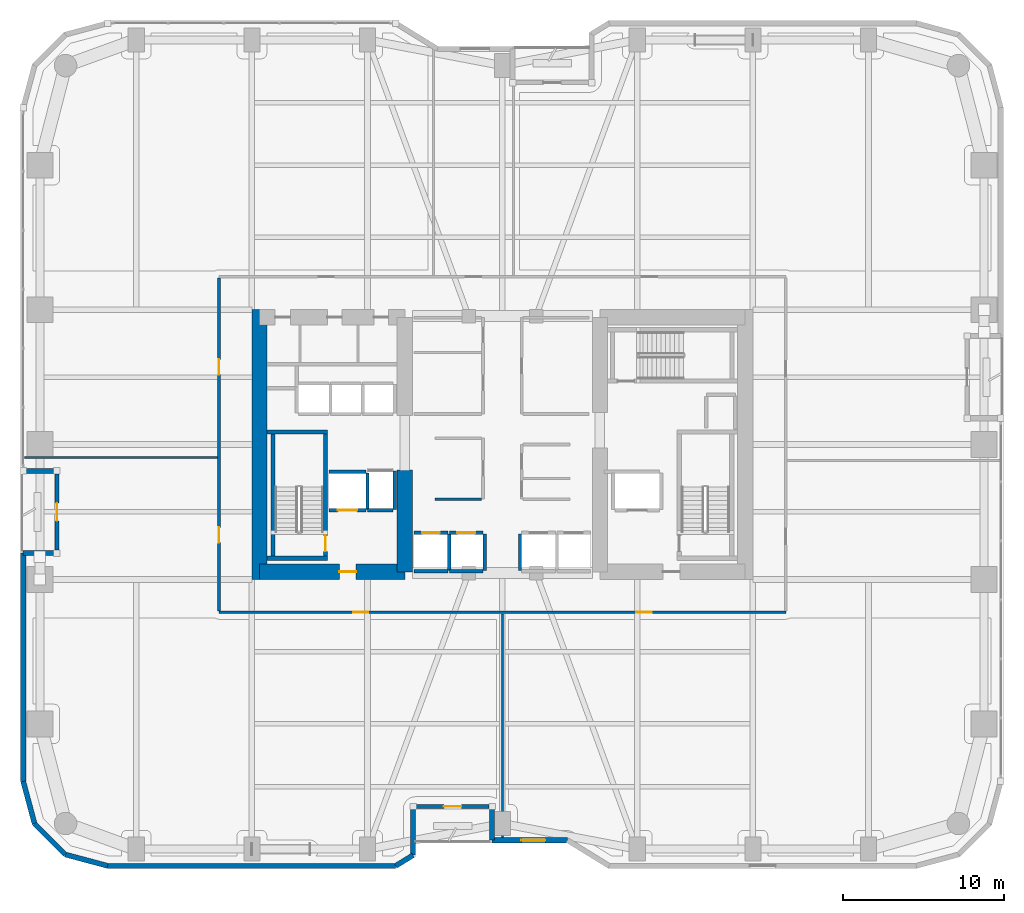
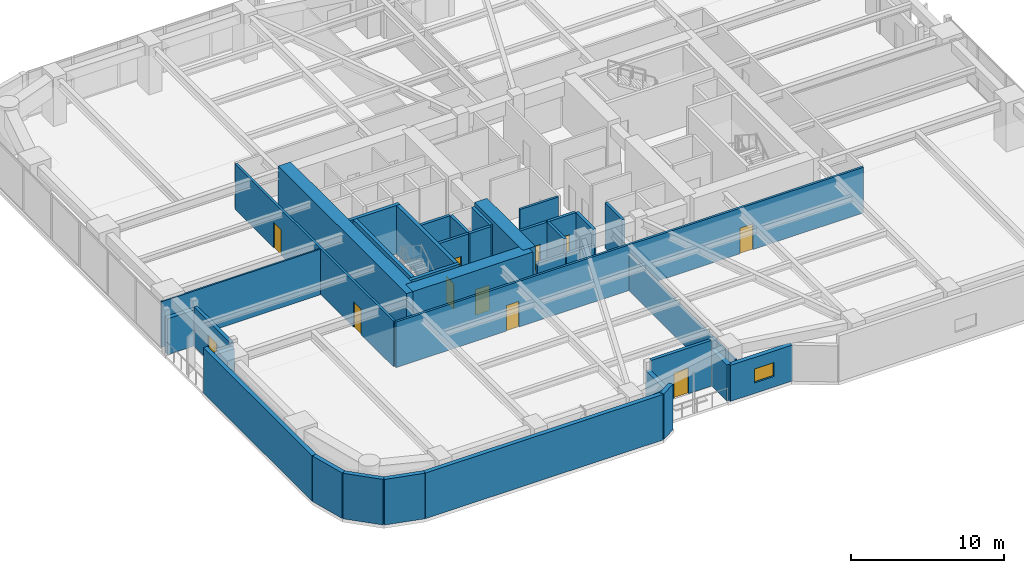
# One storey, part 22 of 29: 37 walls, 11 doors, 1 window, 12 openings.
"""IFC4 building model written with IfcOpenShell, lengths in metres."""

from ifc_helpers import new_model, si_unit, direction, frame, frame_2d, origin, place, context, subcontext, project, spatial, rectangle, extrude, material, layer, layer_set, type_object, element, fill, save


model = new_model("IFC4")

# Units and contexts
model_context = context("Model", 3, precision=1e-05, world=origin(), true_north=direction((0.0, 1.0)))
body_context = subcontext(model_context, "Body", "Model", "MODEL_VIEW")
ifc_project = project(units=[si_unit("LENGTHUNIT", "METRE"), si_unit("AREAUNIT", "SQUARE_METRE"), si_unit("VOLUMEUNIT", "CUBIC_METRE"), si_unit("PLANEANGLEUNIT", "RADIAN"), si_unit("MASSUNIT", "GRAM", prefix="KILO")], contexts=[model_context])

# Site, building, storey
site_placement = place(None, origin())
site = spatial("IfcSite", under=ifc_project, at=site_placement, CompositionType="ELEMENT")
building_placement = place(site_placement, origin())
building = spatial("IfcBuilding", under=site, at=building_placement, Name="Kiyonajd Concourse Tower", CompositionType="ELEMENT")
storey_placement = place(building_placement, frame((0.0, 0.0, 25.5)))
storey = spatial("IfcBuildingStorey", under=building, at=storey_placement, Name="L07", CompositionType="ELEMENT", Elevation=25.5)

# Walls
ifc_material_1 = material(Name="Concrete C80/95", Category="concrete")
ifc_layer_1 = layer(ifc_material_1, 0.949951171875)
ifc_layer_set_1 = layer_set([ifc_layer_1], Name="Concrete C80/95")
wall_type_1 = type_object("IfcWallType", Name="WL-CORE-950", PredefinedType="SHEAR", material=ifc_layer_set_1)
wall_1_placement = place(storey_placement, frame((32.875, 27.60009765625, 0.0), z_axis=(0.0, 0.0, 1.0), x_axis=(0.0, 1.0, 0.0)))
element("IfcWall", 1, at=wall_1_placement, inside=storey, type_object=wall_type_1, Name="L07 West Core Outer Shear Wall", PredefinedType="SHEAR", context=body_context, shape_type="SweptSolid", body=[
    extrude(rectangle(XDim=16.7998046875, YDim=0.949951171875, at=frame_2d((8.39990234375, 0.0))), origin(), (0.0, 0.0, 1.0), 3.89990234375),
])
wall_2_placement = place(storey_placement, frame((41.925048828125, 28.074951171875, 0.0), z_axis=(0.0, 0.0, 1.0), x_axis=(0.0, 1.0, 0.0)))
element("IfcWall", 2, at=wall_2_placement, inside=storey, type_object=wall_type_1, Name="L07 West Core Inner South Shear Wall", PredefinedType="SHEAR", context=body_context, shape_type="SweptSolid", body=[
    extrude(rectangle(XDim=6.324951171875, YDim=0.949951171875, at=frame_2d((3.16259765625, 0.0))), origin(), (0.0, 0.0, 1.0), 3.89990234375),
])

# Wall, opening, door
wall_3_placement = place(storey_placement, frame((32.875, 28.074951171875, 0.0), z_axis=(0.0, 0.0, 1.0), x_axis=(1.0, 0.0, 0.0)))
wall_3 = element("IfcWall", 3, at=wall_3_placement, inside=storey, type_object=wall_type_1, Name="L07 West Core South Shear Wall", PredefinedType="SHEAR", context=body_context, shape_type="SweptSolid", body=[
    extrude(rectangle(XDim=9.050048828125, YDim=0.949951171875, at=frame_2d((4.52490234375, 0.0))), origin(), (0.0, 0.0, 1.0), 3.89990234375),
])
opening_1_placement = place(wall_3_placement, frame((4.97509765625, 0.0, 0.0)))
opening_1 = element("IfcOpeningElement", 4, at=opening_1_placement, cuts=wall_3, Name="Opening DF5", PredefinedType="OPENING", context=body_context, shape_type="SweptSolid", body=[
    extrude(rectangle(XDim=1.050048828125, YDim=2.0400390625, at=frame_2d((0.52490234375, 1.02001953125))), frame((0.0, 0.48486328125, 0.0), z_axis=(0.0, -1.0, 0.0), x_axis=(1.0, 0.0, 0.0)), (0.0, 0.0, 1.0), 0.969970703125),
])
ifc_material_2 = material(Name="Brushed Stainless Steel Cab Assembly", Category="steel")
door_type_1 = type_object("IfcDoorType", Name="DR-FD45-1050", OperationType="NOTDEFINED", PredefinedType="DOOR", material=ifc_material_2)
door_1_placement = place(opening_1_placement, origin())
door_1 = element("IfcDoor", 5, at=door_1_placement, inside=storey, type_object=door_type_1, Name="L07 Firefighting Lift Lobby W Smoke Door", OperationType="SINGLE_SWING_LEFT", OverallHeight=2.0400390625, OverallWidth=1.050048828125, PredefinedType="DOOR", context=body_context, shape_type="SweptSolid", body=[
    extrude(rectangle(XDim=1.050048828125, YDim=2.0400390625, at=frame_2d((0.52490234375, 1.02001953125))), frame((0.0, 0.02490234375, 0.0), z_axis=(0.0, -1.0, 0.0), x_axis=(1.0, 0.0, 0.0)), (0.0, 0.0, 1.0), 0.050048828125),
])
fill(opening_1, door_1)

# Walls
ifc_material_3 = material(Name="Precast concrete C50/60", Category="concrete")
ifc_layer_2 = layer(ifc_material_3, 0.320068359375)
ifc_layer_set_2 = layer_set([ifc_layer_2], Name="Precast concrete C50/60")
wall_type_2 = type_object("IfcWallType", Name="WL-EXT-320", PredefinedType="SOLIDWALL", material=ifc_layer_set_2)
wall_4_placement = place(storey_placement, frame((18.866455078125, 12.3828125, 0.0), z_axis=(0.0, 0.0, 1.0), x_axis=(-0.25869736047, 0.965958423373, 0.0)))
element("IfcWall", 6, at=wall_4_placement, inside=storey, type_object=wall_type_2, Name="L07 Exterior Concrete Frame Wall 00", PredefinedType="SOLIDWALL", context=body_context, shape_type="SweptSolid", body=[
    extrude(rectangle(XDim=2.731201171875, YDim=0.320068359375, at=frame_2d((1.36572265625, 0.0))), origin(), (0.0, 0.0, 1.0), 3.639892578125),
])
wall_5_placement = place(storey_placement, frame((18.159912109375, 15.02099609375, 0.0), z_axis=(0.0, 0.0, 1.0), x_axis=(0.0, 1.0, 0.0)))
element("IfcWall", 7, at=wall_5_placement, inside=storey, type_object=wall_type_2, Name="L07 Exterior Concrete Frame Wall 01", PredefinedType="SOLIDWALL", context=body_context, shape_type="SweptSolid", body=[
    extrude(rectangle(XDim=14.218994140625, YDim=0.320068359375, at=frame_2d((7.109375, 0.0))), origin(), (0.0, 0.0, 1.0), 3.639892578125),
])
for number, where, z_axis, x_axis, name in (
    (8, (18.159912109375, 29.239990234375, 0.0), (0.0, 0.0, 1.0), (1.0, 0.0, 0.0), "L07 Exterior Concrete Frame Wall 02"),
    (9, (20.260009765625, 34.360107421875, 0.0), (0.0, 0.0, 1.0), (-1.0, 0.0, 0.0), "L07 Exterior Concrete Frame Wall 04"),
):
    element("IfcWall", number, at=place(storey_placement, frame(where, z_axis=z_axis, x_axis=x_axis)), inside=storey, type_object=wall_type_2, Name=name, PredefinedType="SOLIDWALL", context=body_context, shape_type="SweptSolid", body=[
        extrude(rectangle(XDim=2.10009765625, YDim=0.320068359375, at=frame_2d((1.050048828125, 0.0))), origin(), (0.0, 0.0, 1.0), 2.875),
    ])

# Wall, opening, window
wall_6_placement = place(storey_placement, frame((52.04541015625, 11.360107421875, 0.0), z_axis=(0.0, 0.0, 1.0), x_axis=(-1.0, 0.0, 0.0)))
wall_6 = element("IfcWall", 10, at=wall_6_placement, inside=storey, type_object=wall_type_2, Name="L07 Exterior Concrete Frame Wall 30", PredefinedType="SOLIDWALL", context=body_context, shape_type="SweptSolid", body=[
    extrude(rectangle(XDim=4.685302734375, YDim=0.320068359375, at=frame_2d((2.3427734375, 0.0))), origin(), (0.0, 0.0, 1.0), 2.875),
])
opening_2_placement = place(wall_6_placement, frame((1.367919921875, 0.0, 0.85009765625)))
opening_2 = element("IfcOpeningElement", 11, at=opening_2_placement, cuts=wall_6, Name="Opening WN2", PredefinedType="OPENING", context=body_context, shape_type="SweptSolid", body=[
    extrude(rectangle(XDim=1.5, YDim=1.10009765625, at=frame_2d((0.75, 0.550048828125))), frame((0.0, 0.169921875, 0.0), z_axis=(0.0, -1.0, 0.0), x_axis=(1.0, 0.0, 0.0)), (0.0, 0.0, 1.0), 0.340087890625),
])
ifc_material_4 = material(Name="Double Low-E Insulated Glass", Category="glass")
window_type = type_object("IfcWindowType", Name="WN-VIS-1500x1100", PartitioningType="SINGLE_PANEL", PredefinedType="WINDOW", material=ifc_material_4)
window_placement = place(opening_2_placement, origin())
window = element("IfcWindow", 12, at=window_placement, inside=storey, type_object=window_type, Name="L07 Modular Facade Vision Window 30", OverallHeight=1.10009765625, OverallWidth=1.5, PartitioningType="SINGLE_PANEL", PredefinedType="WINDOW", context=body_context, shape_type="SweptSolid", body=[
    extrude(rectangle(XDim=1.5, YDim=1.10009765625, at=frame_2d((0.75, 0.550048828125))), frame((0.0, 0.030029296875, 0.0), z_axis=(0.0, -1.0, 0.0), x_axis=(1.0, 0.0, 0.0)), (0.0, 0.0, 1.0), 0.06005859375),
])
fill(opening_2, window)

# Walls
wall_7_placement = place(storey_placement, frame((47.360107421875, 11.360107421875, 0.0), z_axis=(0.0, 0.0, 1.0), x_axis=(0.0, 1.0, 0.0)))
element("IfcWall", 13, at=wall_7_placement, inside=storey, type_object=wall_type_2, Name="L07 Exterior Concrete Frame Wall 31", PredefinedType="SOLIDWALL", context=body_context, shape_type="SweptSolid", body=[
    extrude(rectangle(XDim=2.099853515625, YDim=0.320068359375, at=frame_2d((1.0498046875, 0.0))), origin(), (0.0, 0.0, 1.0), 2.875),
])
wall_8_placement = place(storey_placement, frame((42.43994140625, 13.4599609375, 0.0), z_axis=(0.0, 0.0, 1.0), x_axis=(0.0, -1.0, 0.0)))
element("IfcWall", 14, at=wall_8_placement, inside=storey, type_object=wall_type_2, Name="L07 Exterior Concrete Frame Wall 33", PredefinedType="SOLIDWALL", context=body_context, shape_type="SweptSolid", body=[
    extrude(rectangle(XDim=3.032470703125, YDim=0.320068359375, at=frame_2d((1.51611328125, 0.0))), origin(), (0.0, 0.0, 1.0), 2.875),
])
wall_9_placement = place(storey_placement, frame((42.43994140625, 10.427490234375, 0.0), z_axis=(0.0, 0.0, 1.0), x_axis=(-0.851776724646, -0.523904964045, 0.0)))
element("IfcWall", 15, at=wall_9_placement, inside=storey, type_object=wall_type_2, Name="L07 Exterior Concrete Frame Wall 34", PredefinedType="SOLIDWALL", context=body_context, shape_type="SweptSolid", body=[
    extrude(rectangle(XDim=1.274169921875, YDim=0.320068359375, at=frame_2d((0.63720703125, 0.0))), origin(), (0.0, 0.0, 1.0), 3.639892578125),
])
wall_10_placement = place(storey_placement, frame((41.354736328125, 9.760009765625, 0.0), z_axis=(0.0, 0.0, 1.0), x_axis=(-1.0, 0.0, 0.0)))
element("IfcWall", 16, at=wall_10_placement, inside=storey, type_object=wall_type_2, Name="L07 Exterior Concrete Frame Wall 35", PredefinedType="SOLIDWALL", context=body_context, shape_type="SweptSolid", body=[
    extrude(rectangle(XDim=17.93359375, YDim=0.320068359375, at=frame_2d((8.966796875, 0.0))), origin(), (0.0, 0.0, 1.0), 3.639892578125),
])
wall_11_placement = place(storey_placement, frame((23.421142578125, 9.760009765625, 0.0), z_axis=(0.0, 0.0, 1.0), x_axis=(-0.965964405026, 0.25867502435, 0.0)))
element("IfcWall", 17, at=wall_11_placement, inside=storey, type_object=wall_type_2, Name="L07 Exterior Concrete Frame Wall 36", PredefinedType="SOLIDWALL", context=body_context, shape_type="SweptSolid", body=[
    extrude(rectangle(XDim=2.7314453125, YDim=0.320068359375, at=frame_2d((1.36572265625, 0.0))), origin(), (0.0, 0.0, 1.0), 3.639892578125),
])
wall_12_placement = place(storey_placement, frame((20.78271484375, 10.466552734375, 0.0), z_axis=(0.0, 0.0, 1.0), x_axis=(-0.707106781187, 0.707106781187, 0.0)))
element("IfcWall", 18, at=wall_12_placement, inside=storey, type_object=wall_type_2, Name="L07 Exterior Concrete Frame Wall 37", PredefinedType="SOLIDWALL", context=body_context, shape_type="SweptSolid", body=[
    extrude(rectangle(XDim=2.7099609375, YDim=0.320068359375, at=frame_2d((1.35498046875, 0.0))), origin(), (0.0, 0.0, 1.0), 3.639892578125),
])

# Wall, opening, door
ifc_layer_3 = layer(ifc_material_3, 0.239990234375)
ifc_layer_set_3 = layer_set([ifc_layer_3], Name="Precast concrete C50/60")
wall_type_3 = type_object("IfcWallType", Name="WL-LOG-240", PredefinedType="SOLIDWALL", material=ifc_layer_set_3)
wall_13_placement = place(storey_placement, frame((20.260009765625, 29.43505859375, 0.0), z_axis=(0.0, 0.0, 1.0), x_axis=(0.0, 1.0, 0.0)))
wall_13 = element("IfcWall", 19, at=wall_13_placement, inside=storey, type_object=wall_type_3, Name="L07 Recessed Loggia Thermal Wall LOG-W", PredefinedType="SOLIDWALL", context=body_context, shape_type="SweptSolid", body=[
    extrude(rectangle(XDim=4.72998046875, YDim=0.239990234375, at=frame_2d((2.364990234375, 0.0))), origin(), (0.0, 0.0, 1.0), 3.162109375),
])
opening_3_placement = place(wall_13_placement, frame((1.81494140625, 0.0, 0.0)))
opening_3 = element("IfcOpeningElement", 20, at=opening_3_placement, cuts=wall_13, Name="Opening DL2", PredefinedType="OPENING", context=body_context, shape_type="SweptSolid", body=[
    extrude(rectangle(XDim=1.10009765625, YDim=2.0400390625, at=frame_2d((0.550048828125, 1.02001953125))), frame((0.0, 0.1298828125, 0.0), z_axis=(0.0, -1.0, 0.0), x_axis=(1.0, 0.0, 0.0)), (0.0, 0.0, 1.0), 0.260009765625),
])
ifc_material_5 = material(Name="Thermally Broken Anodised Aluminium", Category="aluminium")
door_type_2 = type_object("IfcDoorType", Name="DR-LOG-1100", OperationType="NOTDEFINED", PredefinedType="DOOR", material=ifc_material_5)
door_2_placement = place(opening_3_placement, origin())
door_2 = element("IfcDoor", 21, at=door_2_placement, inside=storey, type_object=door_type_2, Name="L07 Engawa Loggia Access Door LOG-W", OperationType="SINGLE_SWING_LEFT", OverallHeight=2.0400390625, OverallWidth=1.10009765625, PredefinedType="DOOR", context=body_context, shape_type="SweptSolid", body=[
    extrude(rectangle(XDim=1.10009765625, YDim=2.0400390625, at=frame_2d((0.550048828125, 1.02001953125))), frame((0.0, 0.02490234375, 0.0), z_axis=(0.0, -1.0, 0.0), x_axis=(1.0, 0.0, 0.0)), (0.0, 0.0, 1.0), 0.050048828125),
])
fill(opening_3, door_2)

wall_14_placement = place(storey_placement, frame((47.1650390625, 13.4599609375, 0.0), z_axis=(0.0, 0.0, 1.0), x_axis=(-1.0, 0.0, 0.0)))
wall_14 = element("IfcWall", 22, at=wall_14_placement, inside=storey, type_object=wall_type_3, Name="L07 Recessed Loggia Thermal Wall LOG-S", PredefinedType="SOLIDWALL", context=body_context, shape_type="SweptSolid", body=[
    extrude(rectangle(XDim=4.530029296875, YDim=0.239990234375, at=frame_2d((2.26513671875, 0.0))), origin(), (0.0, 0.0, 1.0), 3.639892578125),
])
opening_4_placement = place(wall_14_placement, frame((1.715087890625, 0.0, 0.0)))
opening_4 = element("IfcOpeningElement", 23, at=opening_4_placement, cuts=wall_14, Name="Opening DL2", PredefinedType="OPENING", context=body_context, shape_type="SweptSolid", body=[
    extrude(rectangle(XDim=1.10009765625, YDim=2.0400390625, at=frame_2d((0.550048828125, 1.02001953125))), frame((0.0, 0.1298828125, 0.0), z_axis=(0.0, -1.0, 0.0), x_axis=(1.0, 0.0, 0.0)), (0.0, 0.0, 1.0), 0.260009765625),
])
door_3_placement = place(opening_4_placement, origin())
door_3 = element("IfcDoor", 24, at=door_3_placement, inside=storey, type_object=door_type_2, Name="L07 Engawa Loggia Access Door LOG-S", OperationType="SINGLE_SWING_RIGHT", OverallHeight=2.0400390625, OverallWidth=1.10009765625, PredefinedType="DOOR", context=body_context, shape_type="SweptSolid", body=[
    extrude(rectangle(XDim=1.10009765625, YDim=2.0400390625, at=frame_2d((0.550048828125, 1.02001953125))), frame((0.0, 0.02490234375, 0.0), z_axis=(0.0, -1.0, 0.0), x_axis=(1.0, 0.0, 0.0)), (0.0, 0.0, 1.0), 0.050048828125),
])
fill(opening_4, door_3)

# Walls
ifc_material_6 = material(Name="Gypsum Board on Cold-Formed Steel Stud", Category="steel")
ifc_layer_4 = layer(ifc_material_6, 0.125)
ifc_layer_set_4 = layer_set([ifc_layer_4], Name="Gypsum Board on Cold-Formed Steel Stud")
wall_type_4 = type_object("IfcWallType", Name="WL-PART-125", PredefinedType="PARTITIONING", material=ifc_layer_set_4)
wall_15_placement = place(storey_placement, frame((48.0, 11.514892578125, 0.0), z_axis=(0.0, 0.0, 1.0), x_axis=(0.0, 1.0, 0.0)))
element("IfcWall", 25, at=wall_15_placement, inside=storey, type_object=wall_type_4, Name="L07 Interior Partition Wall", PredefinedType="PARTITIONING", context=body_context, shape_type="SweptSolid", body=[
    extrude(rectangle(XDim=13.947998046875, YDim=0.125, at=frame_2d((6.97412109375, 0.0))), origin(), (0.0, 0.0, 1.0), 2.929931640625),
])
wall_16_placement = place(storey_placement, frame((18.2451171875, 35.199951171875, 0.0), z_axis=(0.0, 0.0, 1.0), x_axis=(1.0, 0.0, 0.0)))
element("IfcWall", 26, at=wall_16_placement, inside=storey, type_object=wall_type_4, Name="L07 Interior Partition Wall", PredefinedType="PARTITIONING", context=body_context, shape_type="SweptSolid", body=[
    extrude(rectangle(XDim=12.017822265625, YDim=0.125, at=frame_2d((6.0087890625, 0.0))), origin(), (0.0, 0.0, 1.0), 3.639892578125),
])

# Wall, opening, door
ifc_layer_5 = layer(ifc_material_6, 0.2099609375)
ifc_layer_set_5 = layer_set([ifc_layer_5], Name="Gypsum Board on Cold-Formed Steel Stud")
wall_type_5 = type_object("IfcWallType", Name="WL-SHAFT-210", PredefinedType="PARTITIONING", material=ifc_layer_set_5)
wall_17_placement = place(storey_placement, frame((37.199951171875, 31.89990234375, 0.0), z_axis=(0.0, 0.0, 1.0), x_axis=(1.0, 0.0, 0.0)))
wall_17 = element("IfcWall", 27, at=wall_17_placement, inside=storey, type_object=wall_type_5, Name="L07 Shaft Enclosure Wall", PredefinedType="PARTITIONING", context=body_context, shape_type="SweptSolid", body=[
    extrude(rectangle(XDim=2.300048828125, YDim=0.2099609375, at=frame_2d((1.14990234375, 0.0))), origin(), (0.0, 0.0, 1.0), 3.639892578125),
])
opening_5_placement = place(wall_17_placement, frame((0.550048828125, 0.0, 0.0)))
opening_5 = element("IfcOpeningElement", 28, at=opening_5_placement, cuts=wall_17, Name="Opening LD2", PredefinedType="OPENING", context=body_context, shape_type="SweptSolid", body=[
    extrude(rectangle(XDim=1.199951171875, YDim=2.0400390625, at=frame_2d((0.60009765625, 1.02001953125))), frame((0.0, 0.114990234375, 0.0), z_axis=(0.0, -1.0, 0.0), x_axis=(1.0, 0.0, 0.0)), (0.0, 0.0, 1.0), 0.22998046875),
])
door_type_3 = type_object("IfcDoorType", Name="DR-LD-1200", OperationType="DOUBLE_DOOR_SLIDING", PredefinedType="DOOR", material=ifc_material_2)
door_4_placement = place(opening_5_placement, origin())
door_4 = element("IfcDoor", 29, at=door_4_placement, inside=storey, type_object=door_type_3, Name="L07 Lift FFL1 Sliding Landing Door", OperationType="DOUBLE_DOOR_SLIDING", OverallHeight=2.0400390625, OverallWidth=1.199951171875, PredefinedType="DOOR", context=body_context, shape_type="SweptSolid", body=[
    extrude(rectangle(XDim=1.199951171875, YDim=2.0400390625, at=frame_2d((0.60009765625, 1.02001953125))), frame((0.0, 0.02490234375, 0.0), z_axis=(0.0, -1.0, 0.0), x_axis=(1.0, 0.0, 0.0)), (0.0, 0.0, 1.0), 0.050048828125),
])
fill(opening_5, door_4)

# Walls
wall_18_placement = place(storey_placement, frame((37.199951171875, 34.300048828125, 0.0), z_axis=(0.0, 0.0, 1.0), x_axis=(1.0, 0.0, 0.0)))
element("IfcWall", 30, at=wall_18_placement, inside=storey, type_object=wall_type_5, Name="L07 Shaft Enclosure Wall", PredefinedType="PARTITIONING", context=body_context, shape_type="SweptSolid", body=[
    extrude(rectangle(XDim=2.300048828125, YDim=0.2099609375, at=frame_2d((1.14990234375, 0.0))), origin(), (0.0, 0.0, 1.0), 3.639892578125),
])
wall_19_placement = place(storey_placement, frame((39.60009765625, 31.9599609375, 0.0), z_axis=(0.0, 0.0, 1.0), x_axis=(0.0, 1.0, 0.0)))
element("IfcWall", 31, at=wall_19_placement, inside=storey, type_object=wall_type_5, Name="L07 Shaft Enclosure Wall", PredefinedType="PARTITIONING", context=body_context, shape_type="SweptSolid", body=[
    extrude(rectangle(XDim=2.280029296875, YDim=0.2099609375, at=frame_2d((1.14013671875, 0.0))), origin(), (0.0, 0.0, 1.0), 3.639892578125),
])
wall_20_placement = place(storey_placement, frame((39.60009765625, 31.89990234375, 0.0), z_axis=(0.0, 0.0, 1.0), x_axis=(1.0, 0.0, 0.0)))
element("IfcWall", 32, at=wall_20_placement, inside=storey, type_object=wall_type_5, Name="L07 Shaft Enclosure Wall", PredefinedType="PARTITIONING", context=body_context, shape_type="SweptSolid", body=[
    extrude(rectangle(XDim=1.599853515625, YDim=0.2099609375, at=frame_2d((0.7998046875, 0.0))), origin(), (0.0, 0.0, 1.0), 3.639892578125),
])
wall_21_placement = place(storey_placement, frame((41.300048828125, 31.9599609375, 0.0), z_axis=(0.0, 0.0, 1.0), x_axis=(0.0, 1.0, 0.0)))
element("IfcWall", 33, at=wall_21_placement, inside=storey, type_object=wall_type_5, Name="L07 Shaft Enclosure Wall", PredefinedType="PARTITIONING", context=body_context, shape_type="SweptSolid", body=[
    extrude(rectangle(XDim=2.380126953125, YDim=0.2099609375, at=frame_2d((1.18994140625, 0.0))), origin(), (0.0, 0.0, 1.0), 3.639892578125),
])

# Wall, opening, door
wall_22_placement = place(storey_placement, frame((42.5, 30.5, 0.0), z_axis=(0.0, 0.0, 1.0), x_axis=(1.0, 0.0, 0.0)))
wall_22 = element("IfcWall", 34, at=wall_22_placement, inside=storey, type_object=wall_type_5, Name="L07 Shaft Enclosure Wall", PredefinedType="PARTITIONING", context=body_context, shape_type="SweptSolid", body=[
    extrude(rectangle(XDim=2.10009765625, YDim=0.2099609375, at=frame_2d((1.050048828125, 0.0))), origin(), (0.0, 0.0, 1.0), 3.639892578125),
])
opening_6_placement = place(wall_22_placement, frame((0.5, 0.0, 0.0)))
opening_6 = element("IfcOpeningElement", 35, at=opening_6_placement, cuts=wall_22, Name="Opening LD1", PredefinedType="OPENING", context=body_context, shape_type="SweptSolid", body=[
    extrude(rectangle(XDim=1.10009765625, YDim=2.0400390625, at=frame_2d((0.550048828125, 1.02001953125))), frame((0.0, 0.114990234375, 0.0), z_axis=(0.0, -1.0, 0.0), x_axis=(1.0, 0.0, 0.0)), (0.0, 0.0, 1.0), 0.22998046875),
])
door_type_4 = type_object("IfcDoorType", Name="DR-LD-1100", OperationType="DOUBLE_DOOR_SLIDING", PredefinedType="DOOR", material=ifc_material_2)
door_5_placement = place(opening_6_placement, origin())
door_5 = element("IfcDoor", 36, at=door_5_placement, inside=storey, type_object=door_type_4, Name="L07 Lift PL-L1 Sliding Landing Door", OperationType="DOUBLE_DOOR_SLIDING", OverallHeight=2.0400390625, OverallWidth=1.10009765625, PredefinedType="DOOR", context=body_context, shape_type="SweptSolid", body=[
    extrude(rectangle(XDim=1.10009765625, YDim=2.0400390625, at=frame_2d((0.550048828125, 1.02001953125))), frame((0.0, 0.02490234375, 0.0), z_axis=(0.0, -1.0, 0.0), x_axis=(1.0, 0.0, 0.0)), (0.0, 0.0, 1.0), 0.050048828125),
])
fill(opening_6, door_5)

# Walls
wall_23_placement = place(storey_placement, frame((42.5, 28.10009765625, 0.0), z_axis=(0.0, 0.0, 1.0), x_axis=(1.0, 0.0, 0.0)))
element("IfcWall", 37, at=wall_23_placement, inside=storey, type_object=wall_type_5, Name="L07 Shaft Enclosure Wall", PredefinedType="PARTITIONING", context=body_context, shape_type="SweptSolid", body=[
    extrude(rectangle(XDim=2.10009765625, YDim=0.2099609375, at=frame_2d((1.050048828125, 0.0))), origin(), (0.0, 0.0, 1.0), 2.52490234375),
])
wall_24_placement = place(storey_placement, frame((44.699951171875, 28.159912109375, 0.0), z_axis=(0.0, 0.0, 1.0), x_axis=(0.0, 1.0, 0.0)))
element("IfcWall", 38, at=wall_24_placement, inside=storey, type_object=wall_type_5, Name="L07 Shaft Enclosure Wall", PredefinedType="PARTITIONING", context=body_context, shape_type="SweptSolid", body=[
    extrude(rectangle(XDim=2.280029296875, YDim=0.2099609375, at=frame_2d((1.14013671875, 0.0))), origin(), (0.0, 0.0, 1.0), 3.639892578125),
])

# Wall, opening, door
wall_25_placement = place(storey_placement, frame((44.699951171875, 30.5, 0.0), z_axis=(0.0, 0.0, 1.0), x_axis=(1.0, 0.0, 0.0)))
wall_25 = element("IfcWall", 39, at=wall_25_placement, inside=storey, type_object=wall_type_5, Name="L07 Shaft Enclosure Wall", PredefinedType="PARTITIONING", context=body_context, shape_type="SweptSolid", body=[
    extrude(rectangle(XDim=2.10009765625, YDim=0.2099609375, at=frame_2d((1.050048828125, 0.0))), origin(), (0.0, 0.0, 1.0), 3.639892578125),
])
opening_7_placement = place(wall_25_placement, frame((0.5, 0.0, 0.0)))
opening_7 = element("IfcOpeningElement", 40, at=opening_7_placement, cuts=wall_25, Name="Opening LD1", PredefinedType="OPENING", context=body_context, shape_type="SweptSolid", body=[
    extrude(rectangle(XDim=1.10009765625, YDim=2.0400390625, at=frame_2d((0.550048828125, 1.02001953125))), frame((0.0, 0.114990234375, 0.0), z_axis=(0.0, -1.0, 0.0), x_axis=(1.0, 0.0, 0.0)), (0.0, 0.0, 1.0), 0.22998046875),
])
door_6_placement = place(opening_7_placement, origin())
door_6 = element("IfcDoor", 41, at=door_6_placement, inside=storey, type_object=door_type_4, Name="L07 Lift PL-L2 Sliding Landing Door", OperationType="DOUBLE_DOOR_SLIDING", OverallHeight=2.0400390625, OverallWidth=1.10009765625, PredefinedType="DOOR", context=body_context, shape_type="SweptSolid", body=[
    extrude(rectangle(XDim=1.10009765625, YDim=2.0400390625, at=frame_2d((0.550048828125, 1.02001953125))), frame((0.0, 0.02490234375, 0.0), z_axis=(0.0, -1.0, 0.0), x_axis=(1.0, 0.0, 0.0)), (0.0, 0.0, 1.0), 0.050048828125),
])
fill(opening_7, door_6)

# Walls
wall_26_placement = place(storey_placement, frame((44.699951171875, 28.10009765625, 0.0), z_axis=(0.0, 0.0, 1.0), x_axis=(1.0, 0.0, 0.0)))
element("IfcWall", 42, at=wall_26_placement, inside=storey, type_object=wall_type_5, Name="L07 Shaft Enclosure Wall", PredefinedType="PARTITIONING", context=body_context, shape_type="SweptSolid", body=[
    extrude(rectangle(XDim=2.10009765625, YDim=0.2099609375, at=frame_2d((1.050048828125, 0.0))), origin(), (0.0, 0.0, 1.0), 2.52490234375),
])
for number, where, z_axis, x_axis, name in (
    (43, (46.89990234375, 28.159912109375, 0.0), (0.0, 0.0, 1.0), (0.0, 1.0, 0.0), "L07 Shaft Enclosure Wall"),
    (44, (49.10009765625, 28.159912109375, 0.0), (0.0, 0.0, 1.0), (0.0, 1.0, 0.0), "L07 Shaft Enclosure Wall"),
):
    element("IfcWall", number, at=place(storey_placement, frame(where, z_axis=z_axis, x_axis=x_axis)), inside=storey, type_object=wall_type_5, Name=name, PredefinedType="PARTITIONING", context=body_context, shape_type="SweptSolid", body=[
        extrude(rectangle(XDim=2.280029296875, YDim=0.2099609375, at=frame_2d((1.14013671875, 0.0))), origin(), (0.0, 0.0, 1.0), 3.639892578125),
    ])
ifc_layer_6 = layer(ifc_material_6, 0.169921875)
ifc_layer_set_6 = layer_set([ifc_layer_6], Name="Gypsum Board on Cold-Formed Steel Stud")
wall_type_6 = type_object("IfcWallType", Name="WL-SMK-170", PredefinedType="PARTITIONING", material=ifc_layer_set_6)
wall_27_placement = place(storey_placement, frame((43.800048828125, 32.60009765625, 0.0), z_axis=(0.0, 0.0, 1.0), x_axis=(1.0, 0.0, 0.0)))
element("IfcWall", 45, at=wall_27_placement, inside=storey, type_object=wall_type_6, Name="L07 Interior Partition Wall", PredefinedType="PARTITIONING", context=body_context, shape_type="SweptSolid", body=[
    extrude(rectangle(XDim=2.912841796875, YDim=0.169921875, at=frame_2d((1.45654296875, 0.0))), origin(), (0.0, 0.0, 1.0), 3.639892578125),
])

# Wall, openings, doors
wall_28_placement = place(storey_placement, frame((30.35009765625, 25.550048828125, 0.0), z_axis=(0.0, 0.0, 1.0), x_axis=(1.0, 0.0, 0.0)))
wall_28 = element("IfcWall", 46, at=wall_28_placement, inside=storey, type_object=wall_type_6, Name="L07 Interior Partition Wall", PredefinedType="PARTITIONING", context=body_context, shape_type="SweptSolid", body=[
    extrude(rectangle(XDim=35.2998046875, YDim=0.169921875, at=frame_2d((17.64990234375, 0.0))), origin(), (0.0, 0.0, 1.0), 3.639892578125),
])
opening_8_placement = place(wall_28_placement, frame((8.35009765625, 0.0, 0.0)))
opening_8 = element("IfcOpeningElement", 47, at=opening_8_placement, cuts=wall_28, Name="Opening DI1", PredefinedType="OPENING", context=body_context, shape_type="SweptSolid", body=[
    extrude(rectangle(XDim=0.949951171875, YDim=2.0400390625, at=frame_2d((0.47509765625, 1.02001953125))), frame((0.0, 0.094970703125, 0.0), z_axis=(0.0, -1.0, 0.0), x_axis=(1.0, 0.0, 0.0)), (0.0, 0.0, 1.0), 0.18994140625),
])
opening_9_placement = place(wall_28_placement, frame((26.0, 0.0, 0.0)))
opening_9 = element("IfcOpeningElement", 48, at=opening_9_placement, cuts=wall_28, Name="Opening DI1", PredefinedType="OPENING", context=body_context, shape_type="SweptSolid", body=[
    extrude(rectangle(XDim=0.949951171875, YDim=2.0400390625, at=frame_2d((0.47509765625, 1.02001953125))), frame((0.0, 0.094970703125, 0.0), z_axis=(0.0, -1.0, 0.0), x_axis=(1.0, 0.0, 0.0)), (0.0, 0.0, 1.0), 0.18994140625),
])
ifc_material_7 = material(Name="Natural Oak Acoustic Timber Veneer", Category="wood")
door_type_5 = type_object("IfcDoorType", Name="DR-INT-950", OperationType="NOTDEFINED", PredefinedType="DOOR", material=ifc_material_7)
door_7_placement = place(opening_8_placement, origin())
door_7 = element("IfcDoor", 49, at=door_7_placement, inside=storey, type_object=door_type_5, Name="L07 Interior Door", OperationType="SINGLE_SWING_LEFT", OverallHeight=2.0400390625, OverallWidth=0.949951171875, PredefinedType="DOOR", context=body_context, shape_type="SweptSolid", body=[
    extrude(rectangle(XDim=0.949951171875, YDim=2.0400390625, at=frame_2d((0.47509765625, 1.02001953125))), frame((0.0, 0.02490234375, 0.0), z_axis=(0.0, -1.0, 0.0), x_axis=(1.0, 0.0, 0.0)), (0.0, 0.0, 1.0), 0.050048828125),
])
fill(opening_8, door_7)
door_8_placement = place(opening_9_placement, origin())
door_8 = element("IfcDoor", 50, at=door_8_placement, inside=storey, type_object=door_type_5, Name="L07 Interior Door", OperationType="SINGLE_SWING_RIGHT", OverallHeight=2.0400390625, OverallWidth=0.949951171875, PredefinedType="DOOR", context=body_context, shape_type="SweptSolid", body=[
    extrude(rectangle(XDim=0.949951171875, YDim=2.0400390625, at=frame_2d((0.47509765625, 1.02001953125))), frame((0.0, 0.02490234375, 0.0), z_axis=(0.0, -1.0, 0.0), x_axis=(1.0, 0.0, 0.0)), (0.0, 0.0, 1.0), 0.050048828125),
])
fill(opening_9, door_8)

wall_29_placement = place(storey_placement, frame((30.35009765625, 25.636962890625, 0.0), z_axis=(0.0, 0.0, 1.0), x_axis=(0.0, 1.0, 0.0)))
wall_29 = element("IfcWall", 51, at=wall_29_placement, inside=storey, type_object=wall_type_6, Name="L07 Interior Partition Wall", PredefinedType="PARTITIONING", context=body_context, shape_type="SweptSolid", body=[
    extrude(rectangle(XDim=20.72607421875, YDim=0.169921875, at=frame_2d((10.363037109375, 0.0))), origin(), (0.0, 0.0, 1.0), 3.639892578125),
])
opening_10_placement = place(wall_29_placement, frame((4.262939453125, 0.0, 0.0)))
opening_10 = element("IfcOpeningElement", 52, at=opening_10_placement, cuts=wall_29, Name="Opening DI1", PredefinedType="OPENING", context=body_context, shape_type="SweptSolid", body=[
    extrude(rectangle(XDim=0.949951171875, YDim=2.0400390625, at=frame_2d((0.47509765625, 1.02001953125))), frame((0.0, 0.094970703125, 0.0), z_axis=(0.0, -1.0, 0.0), x_axis=(1.0, 0.0, 0.0)), (0.0, 0.0, 1.0), 0.18994140625),
])
opening_11_placement = place(wall_29_placement, frame((14.712890625, 0.0, 0.0)))
opening_11 = element("IfcOpeningElement", 53, at=opening_11_placement, cuts=wall_29, Name="Opening DI1", PredefinedType="OPENING", context=body_context, shape_type="SweptSolid", body=[
    extrude(rectangle(XDim=0.949951171875, YDim=2.0400390625, at=frame_2d((0.47509765625, 1.02001953125))), frame((0.0, 0.094970703125, 0.0), z_axis=(0.0, -1.0, 0.0), x_axis=(1.0, 0.0, 0.0)), (0.0, 0.0, 1.0), 0.18994140625),
])
door_9_placement = place(opening_10_placement, origin())
door_9 = element("IfcDoor", 54, at=door_9_placement, inside=storey, type_object=door_type_5, Name="L07 Interior Door", OperationType="SINGLE_SWING_RIGHT", OverallHeight=2.0400390625, OverallWidth=0.949951171875, PredefinedType="DOOR", context=body_context, shape_type="SweptSolid", body=[
    extrude(rectangle(XDim=0.949951171875, YDim=2.0400390625, at=frame_2d((0.47509765625, 1.02001953125))), frame((0.0, 0.02490234375, 0.0), z_axis=(0.0, -1.0, 0.0), x_axis=(1.0, 0.0, 0.0)), (0.0, 0.0, 1.0), 0.050048828125),
])
fill(opening_10, door_9)
door_10_placement = place(opening_11_placement, origin())
door_10 = element("IfcDoor", 55, at=door_10_placement, inside=storey, type_object=door_type_5, Name="L07 Interior Door", OperationType="SINGLE_SWING_LEFT", OverallHeight=2.0400390625, OverallWidth=0.949951171875, PredefinedType="DOOR", context=body_context, shape_type="SweptSolid", body=[
    extrude(rectangle(XDim=0.949951171875, YDim=2.0400390625, at=frame_2d((0.47509765625, 1.02001953125))), frame((0.0, 0.02490234375, 0.0), z_axis=(0.0, -1.0, 0.0), x_axis=(1.0, 0.0, 0.0)), (0.0, 0.0, 1.0), 0.050048828125),
])
fill(opening_11, door_10)

# Walls
ifc_material_8 = material(Name="Concrete C50/60", Category="concrete")
ifc_layer_7 = layer(ifc_material_8, 0.260009765625)
ifc_layer_set_7 = layer_set([ifc_layer_7], Name="Concrete C50/60")
wall_type_7 = type_object("IfcWallType", Name="WL-STAIR-260", PredefinedType="SHEAR", material=ifc_layer_set_7)
for number, where, z_axis, x_axis, name in (
    (56, (33.35009765625, 28.919921875, 0.0), (0.0, 0.0, 1.0), (1.0, 0.0, 0.0), "L07 Stair ST1 Structural South Wall"),
    (57, (33.35009765625, 36.780029296875, 0.0), (0.0, 0.0, 1.0), (1.0, 0.0, 0.0), "L07 Stair ST1 Structural North Wall"),
):
    element("IfcWall", number, at=place(storey_placement, frame(where, z_axis=z_axis, x_axis=x_axis)), inside=storey, type_object=wall_type_7, Name=name, PredefinedType="SHEAR", context=body_context, shape_type="SweptSolid", body=[
        extrude(rectangle(XDim=3.760009765625, YDim=0.260009765625, at=frame_2d((1.8798828125, 0.0))), origin(), (0.0, 0.0, 1.0), 3.89990234375),
    ])
wall_30_placement = place(storey_placement, frame((33.719970703125, 29.050048828125, 0.0), z_axis=(0.0, 0.0, 1.0), x_axis=(0.0, 1.0, 0.0)))
element("IfcWall", 58, at=wall_30_placement, inside=storey, type_object=wall_type_7, Name="L07 Stair ST1 Structural West Wall", PredefinedType="SHEAR", context=body_context, shape_type="SweptSolid", body=[
    extrude(rectangle(XDim=7.599853515625, YDim=0.260009765625, at=frame_2d((3.7998046875, 0.0))), origin(), (0.0, 0.0, 1.0), 3.89990234375),
])

# Wall, opening, door
wall_31_placement = place(storey_placement, frame((36.97998046875, 29.050048828125, 0.0), z_axis=(0.0, 0.0, 1.0), x_axis=(0.0, 1.0, 0.0)))
wall_31 = element("IfcWall", 59, at=wall_31_placement, inside=storey, type_object=wall_type_7, Name="L07 Stair ST1 Structural East Wall", PredefinedType="SHEAR", context=body_context, shape_type="SweptSolid", body=[
    extrude(rectangle(XDim=7.599853515625, YDim=0.260009765625, at=frame_2d((3.7998046875, 0.0))), origin(), (0.0, 0.0, 1.0), 3.89990234375),
])
opening_12_placement = place(wall_31_placement, frame((0.300048828125, 0.0, 0.0)))
opening_12 = element("IfcOpeningElement", 60, at=opening_12_placement, cuts=wall_31, Name="Opening DF1", PredefinedType="OPENING", context=body_context, shape_type="SweptSolid", body=[
    extrude(rectangle(XDim=1.0, YDim=2.0400390625, at=frame_2d((0.5, 1.02001953125))), frame((0.0, 0.139892578125, 0.0), z_axis=(0.0, -1.0, 0.0), x_axis=(1.0, 0.0, 0.0)), (0.0, 0.0, 1.0), 0.280029296875),
])
door_type_6 = type_object("IfcDoorType", Name="DR-FD90-1000", OperationType="NOTDEFINED", PredefinedType="DOOR", material=ifc_material_2)
door_11_placement = place(opening_12_placement, origin())
door_11 = element("IfcDoor", 61, at=door_11_placement, inside=storey, type_object=door_type_6, Name="L07 Stair ST1 FSAE Door", OperationType="SINGLE_SWING_LEFT", OverallHeight=2.0400390625, OverallWidth=1.0, PredefinedType="DOOR", context=body_context, shape_type="SweptSolid", body=[
    extrude(rectangle(XDim=1.0, YDim=2.0400390625, at=frame_2d((0.5, 1.02001953125))), frame((0.0, 0.02490234375, 0.0), z_axis=(0.0, -1.0, 0.0), x_axis=(1.0, 0.0, 0.0)), (0.0, 0.0, 1.0), 0.050048828125),
])
fill(opening_12, door_11)

save(model, "model.ifc")
